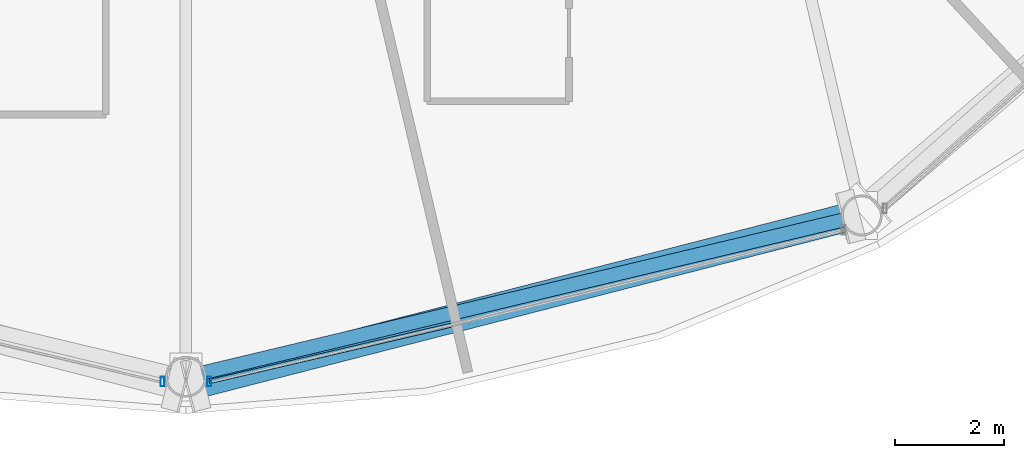
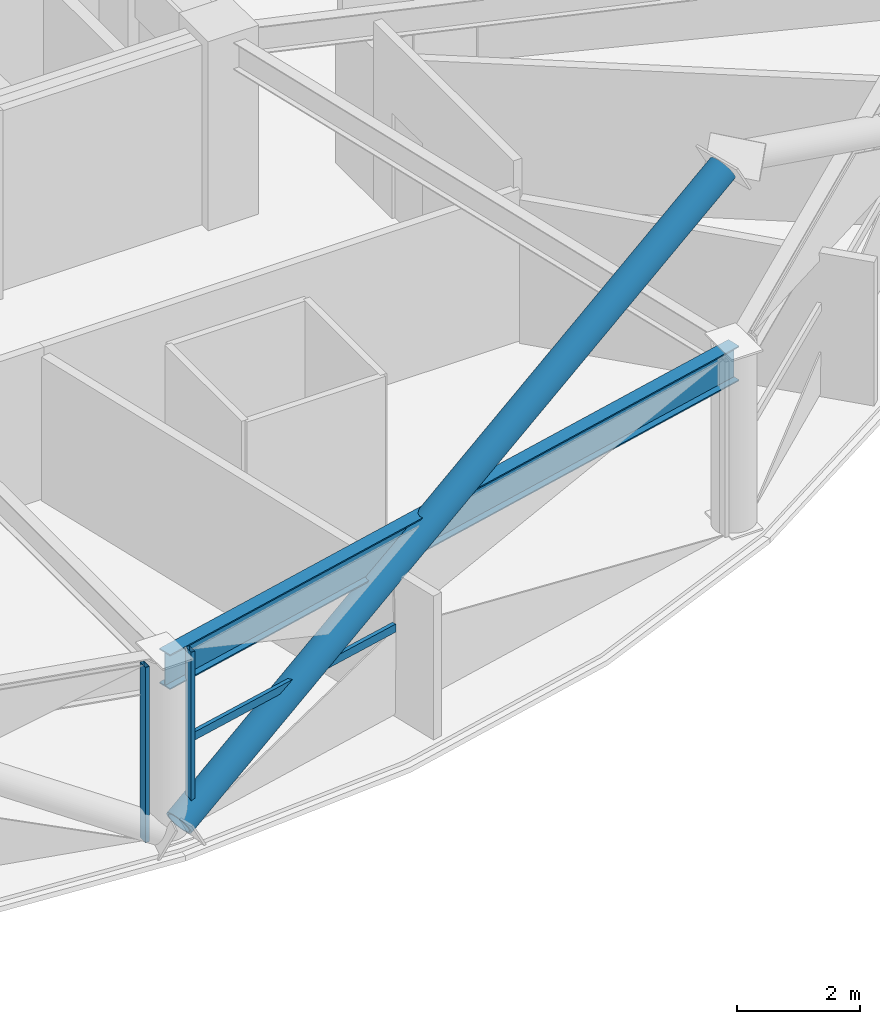
# One storey, part 4 of 29: 4 members, 1 beam, 2 elements without a shape of their own.
"""IFC4 building model written with IfcOpenShell, lengths in metres."""

from ifc_helpers import new_model, si_unit, direction, frame, origin, origin_2d, place, context, subcontext, project, spatial, hollow_rectangle, hollow_circle, i_section, extrude, material, layer, layer_set, material_profile, profile_set, type_object, element, aggregate, save


model = new_model("IFC4")

# Units and contexts
model_context = context("Model", 3, precision=1e-05, world=origin(), true_north=direction((0.0, 1.0)))
body_context = subcontext(model_context, "Body", "Model", "MODEL_VIEW")
ifc_project = project(units=[si_unit("LENGTHUNIT", "METRE"), si_unit("AREAUNIT", "SQUARE_METRE"), si_unit("VOLUMEUNIT", "CUBIC_METRE"), si_unit("PLANEANGLEUNIT", "RADIAN"), si_unit("MASSUNIT", "GRAM", prefix="KILO")], contexts=[model_context])

# Site, building, storey
site_placement = place(None, origin())
site = spatial("IfcSite", under=ifc_project, at=site_placement, CompositionType="ELEMENT")
building_placement = place(site_placement, origin())
building = spatial("IfcBuilding", under=site, at=building_placement, Name="Vantalir Tower", CompositionType="ELEMENT")
storey_placement = place(building_placement, frame((0.0, 0.0, 157.199951171875)))
storey = spatial("IfcBuildingStorey", under=building, at=storey_placement, Name="L39", CompositionType="ELEMENT", Elevation=157.199951171875)

# Beam
ifc_material_1 = material(Name="Steel S460", Category="steel")
ifc_material_profile_1 = material_profile(ifc_material_1, i_section(OverallWidth=0.256103515625, OverallDepth=0.693115234375, WebThickness=0.014404296875, FlangeThickness=0.023681640625, at=origin_2d()), Name="Steel S460")
ifc_profile_set_1 = profile_set([ifc_material_profile_1], Name="Steel S460")
beam_type = type_object("IfcBeamType", Name="BM-RG-686x254", PredefinedType="USERDEFINED", material=ifc_profile_set_1)
beam_placement = place(storey_placement, frame((31.5, 2.930908203125, 3.22412109375), z_axis=(0.972690538126, 0.232105831549, 0.0), x_axis=(-0.232105831549, 0.972690538126, 0.0)))
element("IfcBeam", 1, at=beam_placement, inside=storey, type_object=beam_type, Name="L39 Circumferential Ring Girder 10", ObjectType="GIRDER", PredefinedType="USERDEFINED", context=body_context, shape_type="SweptSolid", body=[
    extrude(i_section(OverallWidth=0.256103515625, OverallDepth=0.693115234375, WebThickness=0.014404296875, FlangeThickness=0.023681640625, at=origin_2d()), origin(), (0.0, 0.0, 1.0), 12.739990234375),
])

# Curtain wall, member
ifc_material_2 = material(Name="Champagne-silver PVDF aluminium and double-silver Low-E glass", Category="aluminium")
ifc_layer = layer(ifc_material_2, 0.199951171875)
ifc_layer_set = layer_set([ifc_layer], Name="Champagne-silver PVDF aluminium and double-silver Low-E glass")
curtain_wall_type = type_object("IfcCurtainWallType", Name="CW-DIAMOND-Z2", PredefinedType="USERDEFINED", material=ifc_layer_set)
curtain_wall_1_placement = place(storey_placement, origin())
curtain_wall_1 = element("IfcCurtainWall", 2, at=curtain_wall_1_placement, inside=storey, type_object=curtain_wall_type, Name="L39 Quilted Pyramid-Diamond Curtain Wall S09", ObjectType="UNITISED CURTAIN WALL", PredefinedType="USERDEFINED")
ifc_material_3 = material(Name="Champagne-silver PVDF aluminium 6063-T6", Category="aluminium")
ifc_material_profile_2 = material_profile(ifc_material_3, hollow_rectangle(XDim=0.074951171875, YDim=0.179931640625, WallThickness=0.00390625, at=origin_2d()), Name="Champagne-silver PVDF aluminium 6063-T6")
ifc_profile_set_2 = profile_set([ifc_material_profile_2], Name="Champagne-silver PVDF aluminium 6063-T6")
member_type_1 = type_object("IfcMemberType", Name="CWM-180x75", PredefinedType="MULLION", material=ifc_profile_set_2)
member_1_placement = place(storey_placement, frame((31.072021484375, 2.843017578125, 0.045166015625), z_axis=(0.0, 0.0, 1.0), x_axis=(1.0, 0.0, 0.0)))
member_1 = element("IfcMember", 3, at=member_1_placement, type_object=member_type_1, Name="CW-L39-S09 Mullion 2", PredefinedType="MULLION", context=body_context, shape_type="SweptSolid", body=[
    extrude(hollow_rectangle(XDim=0.074951171875, YDim=0.179931640625, WallThickness=0.00390625, at=origin_2d()), origin(), (0.0, 0.0, 1.0), 3.47998046875),
])
aggregate(curtain_wall_1, [member_1])

# Curtain wall, members
curtain_wall_2_placement = place(storey_placement, origin())
curtain_wall_2 = element("IfcCurtainWall", 4, at=curtain_wall_2_placement, inside=storey, type_object=curtain_wall_type, Name="L39 Quilted Pyramid-Diamond Curtain Wall S10", ObjectType="UNITISED CURTAIN WALL", PredefinedType="USERDEFINED")
member_2_placement = place(storey_placement, frame((31.927978515625, 2.843017578125, 0.045166015625), z_axis=(0.0, 0.0, 1.0), x_axis=(1.0, 0.0, 0.0)))
member_2 = element("IfcMember", 5, at=member_2_placement, type_object=member_type_1, Name="CW-L39-S10 Mullion 1", PredefinedType="MULLION", context=body_context, shape_type="SweptSolid", body=[
    extrude(hollow_rectangle(XDim=0.074951171875, YDim=0.179931640625, WallThickness=0.00390625, at=origin_2d()), origin(), (0.0, 0.0, 1.0), 3.47998046875),
])
ifc_material_profile_3 = material_profile(ifc_material_3, hollow_rectangle(XDim=0.074951171875, YDim=0.159912109375, WallThickness=0.00390625, at=origin_2d()), Name="Champagne-silver PVDF aluminium 6063-T6")
ifc_profile_set_3 = profile_set([ifc_material_profile_3], Name="Champagne-silver PVDF aluminium 6063-T6")
member_type_2 = type_object("IfcMemberType", Name="CWT-160x75", PredefinedType="USERDEFINED", material=ifc_profile_set_3)
member_3_placement = place(storey_placement, frame((31.927978515625, 2.843017578125, 1.78515625), z_axis=(0.973866964726, 0.227119208822, 0.0), x_axis=(-0.227119208822, 0.973866964726, 0.0)))
member_3 = element("IfcMember", 6, at=member_3_placement, type_object=member_type_2, Name="CW-L39-S10 Pyramid Fold Ridge Transom", ObjectType="TRANSOM", PredefinedType="USERDEFINED", context=body_context, shape_type="SweptSolid", body=[
    extrude(hollow_rectangle(XDim=0.074951171875, YDim=0.159912109375, WallThickness=0.00390625, at=origin_2d()), origin(), (0.0, 0.0, 1.0), 4.543701171875),
])
aggregate(curtain_wall_2, [member_2, member_3])

# Member
ifc_material_profile_4 = material_profile(ifc_material_1, hollow_circle(Radius=0.260009765625, WallThickness=0.0380859375, at=origin_2d()), Name="Steel S460")
ifc_profile_set_4 = profile_set([ifc_material_profile_4], Name="Steel S460")
member_type_3 = type_object("IfcMemberType", Name="MEM-DB-520x38", PredefinedType="BRACE", material=ifc_profile_set_4)
member_4_placement = place(storey_placement, frame((31.68603515625, 2.7890625, 0.18798828125), z_axis=(0.844775699941, 0.216839809613, 0.489218268012), x_axis=(-0.248623491781, 0.96860020614, 0.0)))
element("IfcMember", 7, at=member_4_placement, inside=storey, type_object=member_type_3, Name="L39 Perimeter S460 Diagrid Brace R28L", PredefinedType="BRACE", context=body_context, shape_type="SweptSolid", body=[
    extrude(hollow_circle(Radius=0.260009765625, WallThickness=0.0380859375, at=origin_2d()), origin(), (0.0, 0.0, 1.0), 14.1943359375),
])

save(model, "model.ifc")
